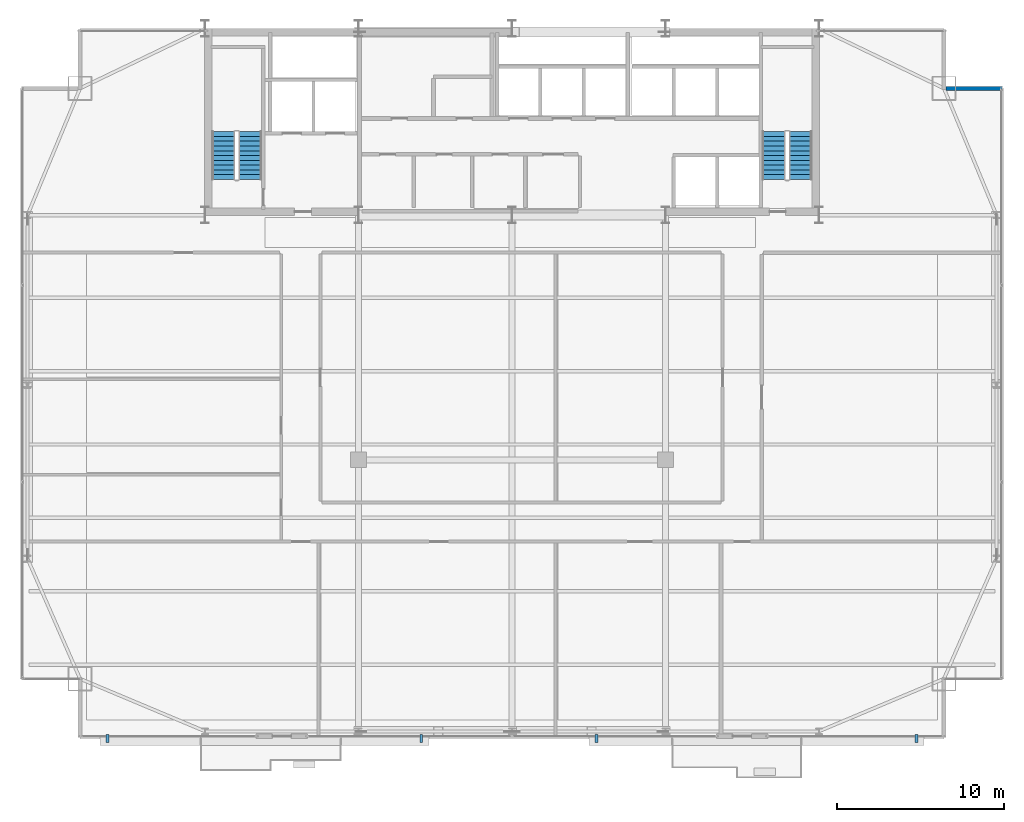
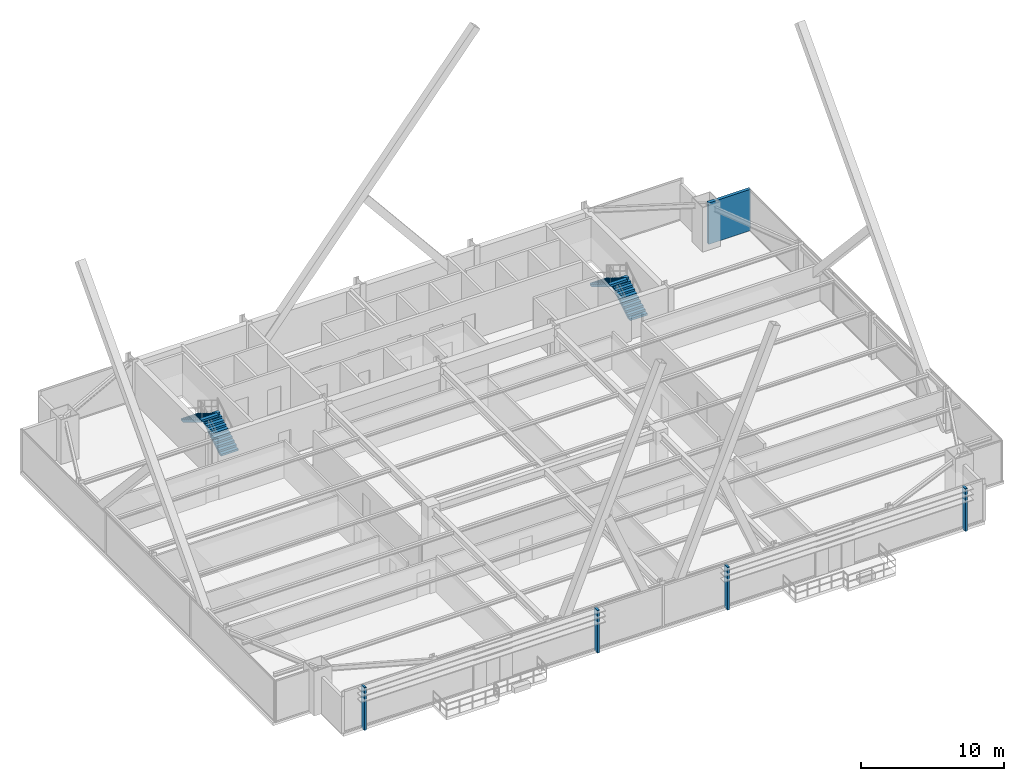
# One storey, part 36 of 38: 4 discrete accessories, 4 stair flights, 1 wall, 2 elements without a shape of their own.
"""IFC4 building model written with IfcOpenShell, lengths in metres."""

from ifc_helpers import new_model, si_unit, direction, frame, frame_2d, origin, origin_2d, place, context, subcontext, project, spatial, polyline, rectangle, outline, extrude, source, transform, mapped, material, layer, layer_set, type_object, type_shapes, element, aggregate, save


model = new_model("IFC4")

# Units and contexts
model_context = context("Model", 3, precision=1e-05, world=origin(), true_north=direction((0.0, 1.0)))
body_context = subcontext(model_context, "Body", "Model", "MODEL_VIEW")
ifc_project = project(units=[si_unit("LENGTHUNIT", "METRE"), si_unit("AREAUNIT", "SQUARE_METRE"), si_unit("VOLUMEUNIT", "CUBIC_METRE"), si_unit("PLANEANGLEUNIT", "RADIAN"), si_unit("MASSUNIT", "GRAM", prefix="KILO")], contexts=[model_context])

# Site, building, storey
site_placement = place(None, origin())
site = spatial("IfcSite", under=ifc_project, at=site_placement, CompositionType="ELEMENT")
building_placement = place(site_placement, origin())
building = spatial("IfcBuilding", under=site, at=building_placement, Name="Varnel Quay Broadcast Tower", CompositionType="ELEMENT")
storey_placement = place(building_placement, frame((0.0, 0.0, 118.199951171875)))
storey = spatial("IfcBuildingStorey", under=building, at=storey_placement, Name="L28", CompositionType="ELEMENT", Elevation=118.199951171875)

# Wall
ifc_material_1 = material(Name="Precast Architectural Concrete C40/50", Category="concrete")
ifc_layer_1 = layer(ifc_material_1, 0.25, Name="Precast Architectural Concrete C40/50")
ifc_layer_set_1 = layer_set([ifc_layer_1], Name="Precast Architectural Concrete C40/50")
wall_type = type_object("IfcWallType", Name="Wall_ExtTerrace250", PredefinedType="SOLIDWALL", material=ifc_layer_set_1)
wall_placement = place(storey_placement, frame((60.030029296875, 43.199951171875, 0.0), z_axis=(0.0, 0.0, 1.0), x_axis=(1.0, 0.0, 0.0)))
element("IfcWall", 1, at=wall_placement, inside=storey, type_object=wall_type, Name="L28 Mega-Column Notch Cladding Wall NNE1", PredefinedType="SOLIDWALL", context=body_context, shape_type="SweptSolid", body=[
    extrude(rectangle(XDim=3.389892578125, YDim=0.25, at=frame_2d((1.69482421875, 0.0))), origin(), (0.0, 0.0, 1.0), 3.530029296875),
])

# Stair, stair flights
ifc_material_2 = material(Name="Precast Structural Concrete C40/50", Category="concrete")
stair_type_1 = type_object("IfcStairType", Name="Stair_ST-01", PredefinedType="HALF_TURN_STAIR", material=ifc_material_2)
stair_1_placement = place(storey_placement, origin())
stair_1 = element("IfcStair", 2, at=stair_1_placement, inside=storey, type_object=stair_type_1, Name="L28 West Core Exit Stair 1", PredefinedType="HALF_TURN_STAIR")
stair_flight_type_1 = type_object("IfcStairFlightType", Name="Flight_ST-01", PredefinedType="STRAIGHT", material=ifc_material_2)
stair_flight_1_placement = place(storey_placement, frame((18.300048828125, 37.75, 0.0), z_axis=(0.0, 0.0, 1.0), x_axis=(0.0, 1.0, 0.0)))
stair_flight_1 = element("IfcStairFlight", 3, at=stair_flight_1_placement, type_object=stair_flight_type_1, Name="ST-01 flight 1", NumberOfRisers=11, NumberOfTreads=10, PredefinedType="STRAIGHT", RiserHeight=0.172727273, TreadLength=0.285, context=body_context, shape_type="SweptSolid", body=[
    extrude(outline(polyline([(0.0, 0.0), (0.0, 0.172607421875), (0.284912109375, 0.172607421875), (0.284912109375, 0.345458984375), (0.570068359375, 0.345458984375), (0.570068359375, 0.51806640625), (0.85498046875, 0.51806640625), (0.85498046875, 0.69091796875), (1.139892578125, 0.69091796875), (1.139892578125, 0.863525390625), (1.425048828125, 0.863525390625), (1.425048828125, 1.036376953125), (1.7099609375, 1.036376953125), (1.7099609375, 1.208984375), (1.9951171875, 1.208984375), (1.9951171875, 1.3818359375), (2.280029296875, 1.3818359375), (2.280029296875, 1.554443359375), (2.56494140625, 1.554443359375), (2.56494140625, 1.727294921875), (2.85009765625, 1.727294921875), (2.85009765625, 1.89990234375), (2.85009765625, 1.552001953125), (0.289306640625, 0.0), (0.0, 0.0)])), frame((0.0, 0.699951171875, 0.0), z_axis=(0.0, -1.0, 0.0), x_axis=(1.0, 0.0, 0.0)), (0.0, 0.0, 1.0), 1.39990234375),
])
stair_flight_2_placement = place(storey_placement, frame((16.699951171875, 40.60009765625, 1.900146484375), z_axis=(0.0, 0.0, 1.0), x_axis=(0.0, -1.0, 0.0)))
stair_flight_2 = element("IfcStairFlight", 4, at=stair_flight_2_placement, type_object=stair_flight_type_1, Name="ST-01 flight 2", NumberOfRisers=11, NumberOfTreads=10, PredefinedType="STRAIGHT", RiserHeight=0.172727273, TreadLength=0.285, context=body_context, shape_type="SweptSolid", body=[
    extrude(outline(polyline([(0.0, 0.0), (0.0, 0.172607421875), (0.284912109375, 0.172607421875), (0.284912109375, 0.345458984375), (0.570068359375, 0.345458984375), (0.570068359375, 0.51806640625), (0.85498046875, 0.51806640625), (0.85498046875, 0.69091796875), (1.139892578125, 0.69091796875), (1.139892578125, 0.863525390625), (1.425048828125, 0.863525390625), (1.425048828125, 1.036376953125), (1.7099609375, 1.036376953125), (1.7099609375, 1.208984375), (1.9951171875, 1.208984375), (1.9951171875, 1.3818359375), (2.280029296875, 1.3818359375), (2.280029296875, 1.554443359375), (2.56494140625, 1.554443359375), (2.56494140625, 1.727294921875), (2.85009765625, 1.727294921875), (2.85009765625, 1.89990234375), (2.85009765625, 1.552001953125), (0.289306640625, 0.0), (0.0, 0.0)])), frame((0.0, 0.699951171875, 0.0), z_axis=(0.0, -1.0, 0.0), x_axis=(1.0, 0.0, 0.0)), (0.0, 0.0, 1.0), 1.39990234375),
])
aggregate(stair_1, [stair_flight_1, stair_flight_2])

stair_type_2 = type_object("IfcStairType", Name="Stair_ST-02", PredefinedType="HALF_TURN_STAIR", material=ifc_material_2)
stair_2_placement = place(storey_placement, origin())
stair_2 = element("IfcStair", 5, at=stair_2_placement, inside=storey, type_object=stair_type_2, Name="L28 East Core Exit Stair 2", PredefinedType="HALF_TURN_STAIR")
stair_flight_type_2 = type_object("IfcStairFlightType", Name="Flight_ST-02", PredefinedType="STRAIGHT", material=ifc_material_2)
stair_flight_3_placement = place(storey_placement, frame((51.300048828125, 37.75, 0.0), z_axis=(0.0, 0.0, 1.0), x_axis=(0.0, 1.0, 0.0)))
stair_flight_3 = element("IfcStairFlight", 6, at=stair_flight_3_placement, type_object=stair_flight_type_2, Name="ST-02 flight 1", NumberOfRisers=11, NumberOfTreads=10, PredefinedType="STRAIGHT", RiserHeight=0.172727273, TreadLength=0.285, context=body_context, shape_type="SweptSolid", body=[
    extrude(outline(polyline([(0.0, 0.0), (0.0, 0.172607421875), (0.284912109375, 0.172607421875), (0.284912109375, 0.345458984375), (0.570068359375, 0.345458984375), (0.570068359375, 0.51806640625), (0.85498046875, 0.51806640625), (0.85498046875, 0.69091796875), (1.139892578125, 0.69091796875), (1.139892578125, 0.863525390625), (1.425048828125, 0.863525390625), (1.425048828125, 1.036376953125), (1.7099609375, 1.036376953125), (1.7099609375, 1.208984375), (1.9951171875, 1.208984375), (1.9951171875, 1.3818359375), (2.280029296875, 1.3818359375), (2.280029296875, 1.554443359375), (2.56494140625, 1.554443359375), (2.56494140625, 1.727294921875), (2.85009765625, 1.727294921875), (2.85009765625, 1.89990234375), (2.85009765625, 1.552001953125), (0.289306640625, 0.0), (0.0, 0.0)])), frame((0.0, 0.699951171875, 0.0), z_axis=(0.0, -1.0, 0.0), x_axis=(1.0, 0.0, 0.0)), (0.0, 0.0, 1.0), 1.39990234375),
])
stair_flight_4_placement = place(storey_placement, frame((49.699951171875, 40.60009765625, 1.900146484375), z_axis=(0.0, 0.0, 1.0), x_axis=(0.0, -1.0, 0.0)))
stair_flight_4 = element("IfcStairFlight", 7, at=stair_flight_4_placement, type_object=stair_flight_type_2, Name="ST-02 flight 2", NumberOfRisers=11, NumberOfTreads=10, PredefinedType="STRAIGHT", RiserHeight=0.172727273, TreadLength=0.285, context=body_context, shape_type="SweptSolid", body=[
    extrude(outline(polyline([(0.0, 0.0), (0.0, 0.172607421875), (0.284912109375, 0.172607421875), (0.284912109375, 0.345458984375), (0.570068359375, 0.345458984375), (0.570068359375, 0.51806640625), (0.85498046875, 0.51806640625), (0.85498046875, 0.69091796875), (1.139892578125, 0.69091796875), (1.139892578125, 0.863525390625), (1.425048828125, 0.863525390625), (1.425048828125, 1.036376953125), (1.7099609375, 1.036376953125), (1.7099609375, 1.208984375), (1.9951171875, 1.208984375), (1.9951171875, 1.3818359375), (2.280029296875, 1.3818359375), (2.280029296875, 1.554443359375), (2.56494140625, 1.554443359375), (2.56494140625, 1.727294921875), (2.85009765625, 1.727294921875), (2.85009765625, 1.89990234375), (2.85009765625, 1.552001953125), (0.289306640625, 0.0), (0.0, 0.0)])), frame((0.0, 0.699951171875, 0.0), z_axis=(0.0, -1.0, 0.0), x_axis=(1.0, 0.0, 0.0)), (0.0, 0.0, 1.0), 1.39990234375),
])
aggregate(stair_2, [stair_flight_3, stair_flight_4])

# Discrete accessories
ifc_material_3 = material(Name="Anodised Bronze Aluminium 6063-T6", Category="aluminium")
ifc_layer_2 = layer(ifc_material_3, 0.47998046875, Name="Anodised Bronze Aluminium 6063-T6")
ifc_layer_set_2 = layer_set([ifc_layer_2], Name="Anodised Bronze Aluminium 6063-T6")
discrete_accessory_type = type_object("IfcDiscreteAccessoryType", Name="Acc_FacadeBracket", PredefinedType="BRACKET", material=ifc_layer_set_2)
shared_shape = source(origin(), body_context, "Body", "SweptSolid", [
    extrude(rectangle(XDim=0.159912109375, YDim=0.47998046875, at=origin_2d()), origin(), (0.0, 0.0, 1.0), 3.64990234375),
])
type_shapes(discrete_accessory_type, [shared_shape])
for number, where, z_axis, x_axis, name in (
    (8, (9.75, 4.219970703125, -0.14990234375), (0.0, 0.0, 1.0), (1.0, 0.0, 0.0), "L28 Lobe 1 Louvre Support Bracket 1"),
    (9, (28.56298828125, 4.219970703125, -0.14990234375), (0.0, 0.0, 1.0), (1.0, 0.0, 0.0), "L28 Lobe 1 Louvre Support Bracket 2"),
    (10, (39.06298828125, 4.219970703125, -0.14990234375), (0.0, 0.0, 1.0), (1.0, 0.0, 0.0), "L28 Lobe 2 Louvre Support Bracket 1"),
    (11, (58.25, 4.219970703125, -0.14990234375), (0.0, 0.0, 1.0), (1.0, 0.0, 0.0), "L28 Lobe 2 Louvre Support Bracket 2"),
):
    element("IfcDiscreteAccessory", number, at=place(storey_placement, frame(where, z_axis=z_axis, x_axis=x_axis)), inside=storey, type_object=discrete_accessory_type, Name=name, PredefinedType="BRACKET", context=body_context, shape_type="MappedRepresentation", body=[
        mapped(shared_shape, transform((0.0, 0.0, 0.0), x_axis=(1.0, 0.0, 0.0), y_axis=(0.0, 1.0, 0.0), z_axis=(0.0, 0.0, 1.0), scale=1.0)),
    ])

save(model, "model.ifc")
